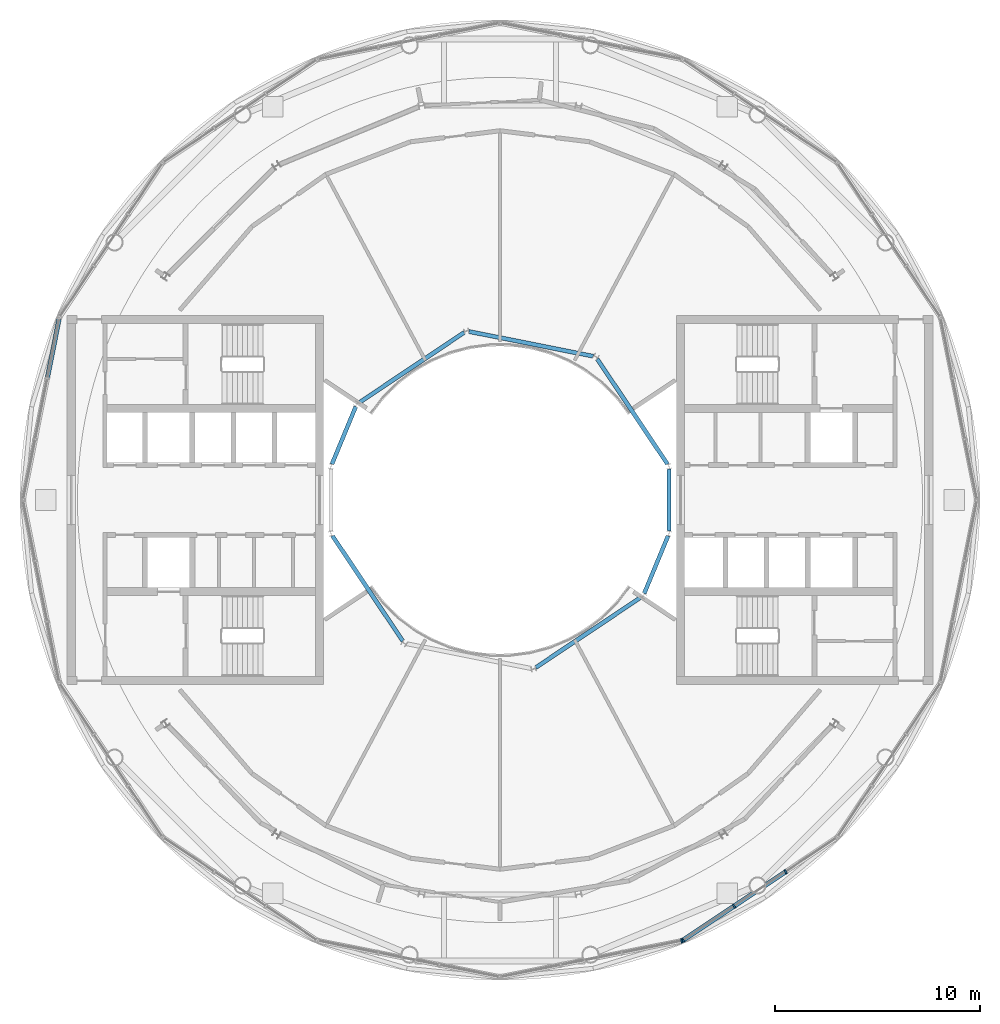
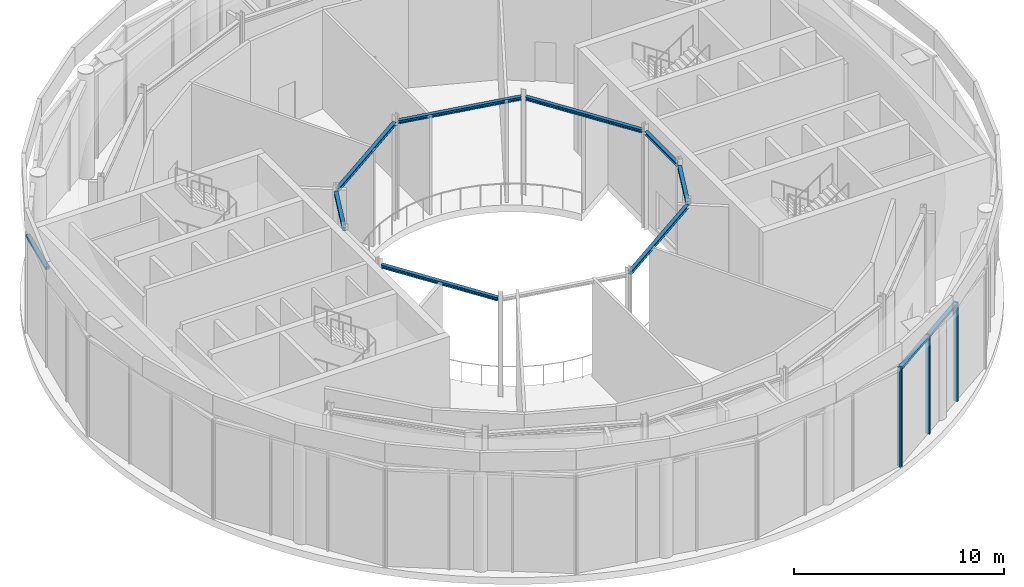
# One storey, part 6 of 20: 8 beams, 7 members, 3 elements without a shape of their own.
"""IFC4 building model written with IfcOpenShell, lengths in metres."""

from ifc_helpers import new_model, si_unit, direction, frame, origin, origin_2d, place, context, subcontext, project, spatial, rectangle, i_section, extrude, material, layer, layer_set, material_profile, profile_set, type_object, element, aggregate, save


model = new_model("IFC4")

# Units and contexts
model_context = context("Model", 3, precision=1e-05, world=origin(), true_north=direction((0.0, 1.0)))
body_context = subcontext(model_context, "Body", "Model", "MODEL_VIEW")
ifc_project = project(units=[si_unit("LENGTHUNIT", "METRE"), si_unit("AREAUNIT", "SQUARE_METRE"), si_unit("VOLUMEUNIT", "CUBIC_METRE"), si_unit("PLANEANGLEUNIT", "RADIAN"), si_unit("MASSUNIT", "GRAM", prefix="KILO")], contexts=[model_context])

# Site, building, storey
site_placement = place(None, origin())
site = spatial("IfcSite", under=ifc_project, at=site_placement, CompositionType="ELEMENT")
building_placement = place(site_placement, origin())
building = spatial("IfcBuilding", under=site, at=building_placement, Name="Maasbend Ring Residences", CompositionType="ELEMENT")
storey_placement = place(building_placement, frame((0.0, 0.0, 255.39990234375)))
storey = spatial("IfcBuildingStorey", under=building, at=storey_placement, Name="L74", CompositionType="ELEMENT", Elevation=255.39990234375)

# Curtain wall, member
ifc_material_1 = material(Name="Aluminium and clear glass", Category="aluminium")
ifc_layer = layer(ifc_material_1, 0.219970703125)
ifc_layer_set = layer_set([ifc_layer], Name="CW-OB")
curtain_wall_type = type_object("IfcCurtainWallType", Name="CW-OB", PredefinedType="NOTDEFINED", material=ifc_layer_set)
curtain_wall_1_placement = place(storey_placement, origin())
curtain_wall_1 = element("IfcCurtainWall", 1, at=curtain_wall_1_placement, inside=storey, type_object=curtain_wall_type, Name="Observation deck curtain wall 13", PredefinedType="NOTDEFINED")
ifc_material_2 = material(Name="Aluminium 6063-T6", Category="aluminium")
ifc_material_profile_1 = material_profile(ifc_material_2, rectangle(XDim=0.219970703125, YDim=0.080078125, at=origin_2d()), Name="AL 220x80")
ifc_profile_set_1 = profile_set([ifc_material_profile_1], Name="Aluminium 6063-T6")
member_type_1 = type_object("IfcMemberType", Name="CWM-OB", PredefinedType="MULLION", material=ifc_profile_set_1)
member_1_placement = place(storey_placement, frame((8.858154296875, -21.488037109375, 0.0), z_axis=(0.0, 0.0, 1.0), x_axis=(-0.195090322016, 0.980785280403, 0.0)))
member_1 = element("IfcMember", 2, at=member_1_placement, type_object=member_type_1, Name="Mullion observation deck", PredefinedType="MULLION", context=body_context, shape_type="SweptSolid", body=[
    extrude(rectangle(XDim=0.219970703125, YDim=0.080078125, at=origin_2d()), origin(), (0.0, 0.0, 1.0), 5.75),
])
aggregate(curtain_wall_1, [member_1])

# Curtain wall, members
curtain_wall_2_placement = place(storey_placement, origin())
curtain_wall_2 = element("IfcCurtainWall", 3, at=curtain_wall_2_placement, inside=storey, type_object=curtain_wall_type, Name="Observation deck curtain wall 14", PredefinedType="NOTDEFINED")
member_2_placement = place(storey_placement, frame((8.9306640625, -21.4580078125, 0.0), z_axis=(0.0, 0.0, 1.0), x_axis=(-0.55557023302, 0.831469612303, 0.0)))
member_2 = element("IfcMember", 4, at=member_2_placement, type_object=member_type_1, Name="Mullion observation deck", PredefinedType="MULLION", context=body_context, shape_type="SweptSolid", body=[
    extrude(rectangle(XDim=0.219970703125, YDim=0.080078125, at=origin_2d()), origin(), (0.0, 0.0, 1.0), 5.75),
])
member_3_placement = place(storey_placement, frame((11.41162109375, -19.80029296875, 0.0), z_axis=(0.0, 0.0, 1.0), x_axis=(-0.55557023302, 0.831469612303, 0.0)))
member_3 = element("IfcMember", 5, at=member_3_placement, type_object=member_type_1, Name="Mullion observation deck", PredefinedType="MULLION", context=body_context, shape_type="SweptSolid", body=[
    extrude(rectangle(XDim=0.219970703125, YDim=0.080078125, at=origin_2d()), origin(), (0.0, 0.0, 1.0), 5.75),
])
member_4_placement = place(storey_placement, frame((13.926025390625, -18.1201171875, 0.0), z_axis=(0.0, 0.0, 1.0), x_axis=(-0.55557023302, 0.831469612303, 0.0)))
member_4 = element("IfcMember", 6, at=member_4_placement, type_object=member_type_1, Name="Mullion observation deck", PredefinedType="MULLION", context=body_context, shape_type="SweptSolid", body=[
    extrude(rectangle(XDim=0.219970703125, YDim=0.080078125, at=origin_2d()), origin(), (0.0, 0.0, 1.0), 5.75),
])

# Curtain wall, member
curtain_wall_3_placement = place(storey_placement, origin())
curtain_wall_3 = element("IfcCurtainWall", 7, at=curtain_wall_3_placement, inside=storey, type_object=curtain_wall_type, Name="Observation deck curtain wall 08", PredefinedType="NOTDEFINED")
ifc_material_3 = material(Name="Aluminium 6063-T6", Category="aluminium")
ifc_material_profile_2 = material_profile(ifc_material_3, rectangle(XDim=0.219970703125, YDim=0.139892578125, at=origin_2d()), Name="AL 220x140")
ifc_profile_set_2 = profile_set([ifc_material_profile_2], Name="Aluminium 6063-T6")
member_type_2 = type_object("IfcMemberType", Name="CWT-OB", PredefinedType="USERDEFINED", material=ifc_profile_set_2)
member_5_placement = place(storey_placement, frame((-21.495849609375, 8.81884765625, 5.68017578125), z_axis=(-0.195048940926, -0.980793510706, 0.0), x_axis=(0.980793510706, -0.195048940926, 0.0)))
member_5 = element("IfcMember", 8, at=member_5_placement, type_object=member_type_2, Name="Transom observation deck", ObjectType="TRANSOM", PredefinedType="USERDEFINED", context=body_context, shape_type="SweptSolid", body=[
    extrude(rectangle(XDim=0.219970703125, YDim=0.139892578125, at=origin_2d()), origin(), (0.0, 0.0, 1.0), 2.90380859375),
])
aggregate(curtain_wall_3, [member_5])

# Member
member_6_placement = place(storey_placement, frame((8.9638671875, -21.435791015625, 5.68017578125), z_axis=(0.831480747717, 0.555553567332, 0.0), x_axis=(-0.555553567332, 0.831480747717, 0.0)))
member_6 = element("IfcMember", 9, at=member_6_placement, type_object=member_type_2, Name="Transom observation deck", ObjectType="TRANSOM", PredefinedType="USERDEFINED", context=body_context, shape_type="SweptSolid", body=[
    extrude(rectangle(XDim=0.219970703125, YDim=0.139892578125, at=origin_2d()), origin(), (0.0, 0.0, 1.0), 2.90380859375),
])

member_7_placement = place(storey_placement, frame((11.44482421875, -19.778076171875, 5.68017578125), z_axis=(0.831437394956, 0.555618446659, 0.0), x_axis=(-0.555618446659, 0.831437394956, 0.0)))
member_7 = element("IfcMember", 10, at=member_7_placement, type_object=member_type_2, Name="Transom observation deck", ObjectType="TRANSOM", PredefinedType="USERDEFINED", context=body_context, shape_type="SweptSolid", body=[
    extrude(rectangle(XDim=0.219970703125, YDim=0.139892578125, at=origin_2d()), origin(), (0.0, 0.0, 1.0), 2.944091796875),
])

aggregate(curtain_wall_2, [member_2, member_3, member_4, member_6, member_7])

# Beams
ifc_material_4 = material(Name="Steel S355J2", Category="steel")
ifc_material_profile_3 = material_profile(ifc_material_4, i_section(OverallWidth=0.199951171875, OverallDepth=0.18994140625, WebThickness=0.006591796875, FlangeThickness=0.010009765625, FilletRadius=0.01806640625, at=origin_2d()), Name="HEA 200")
ifc_profile_set_3 = profile_set([ifc_material_profile_3], Name="Steel S355J2")
beam_type = type_object("IfcBeamType", Name="Well edge beam HEA 200", PredefinedType="BEAM", material=ifc_profile_set_3)
for number, where, z_axis, x_axis, name in (
    (11, (8.16943359375, 1.7421875, 5.655029296875), (-0.555547729421, 0.831484648286, 0.0), (-0.831484648286, -0.555547729421, 0.0), "Well edge beam"),
    (12, (4.544677734375, 7.008544921875, 5.655029296875), (-0.98078072474, 0.195113223486, 0.0), (-0.195113223486, -0.98078072474, 0.0), "Well edge beam"),
    (13, (-1.7421875, 8.16943359375, 5.655029296875), (-0.831484648286, -0.555547729421, 0.0), (0.555547729421, -0.831484648286, 0.0), "Well edge beam"),
):
    element("IfcBeam", number, at=place(storey_placement, frame(where, z_axis=z_axis, x_axis=x_axis)), inside=storey, type_object=beam_type, Name=name, PredefinedType="BEAM", context=body_context, shape_type="SweptSolid", body=[
        extrude(i_section(OverallWidth=0.199951171875, OverallDepth=0.18994140625, WebThickness=0.006591796875, FlangeThickness=0.010009765625, FilletRadius=0.01806640625, at=origin_2d()), origin(), (0.0, 0.0, 1.0), 6.18017578125),
    ])
beam_placement = place(storey_placement, frame((-7.029296875, 4.55859375, 5.655029296875), z_axis=(-0.382609241817, -0.923910259753, 0.0), x_axis=(0.923910259753, -0.382609241817, 0.0)))
element("IfcBeam", 14, at=beam_placement, inside=storey, type_object=beam_type, Name="Well edge beam", PredefinedType="BEAM", context=body_context, shape_type="SweptSolid", body=[
    extrude(i_section(OverallWidth=0.199951171875, OverallDepth=0.18994140625, WebThickness=0.006591796875, FlangeThickness=0.010009765625, FilletRadius=0.01806640625, at=origin_2d()), origin(), (0.0, 0.0, 1.0), 3.04296875),
])
for number, where, z_axis, x_axis, name in (
    (15, (-8.16943359375, -1.7421875, 5.655029296875), (0.555547729421, -0.831484648286, 0.0), (0.831484648286, 0.555547729421, 0.0), "Well edge beam"),
    (16, (1.7421875, -8.16943359375, 5.655029296875), (0.831484648286, 0.555547729421, 0.0), (-0.555547729421, 0.831484648286, 0.0), "Well edge beam"),
):
    element("IfcBeam", number, at=place(storey_placement, frame(where, z_axis=z_axis, x_axis=x_axis)), inside=storey, type_object=beam_type, Name=name, PredefinedType="BEAM", context=body_context, shape_type="SweptSolid", body=[
        extrude(i_section(OverallWidth=0.199951171875, OverallDepth=0.18994140625, WebThickness=0.006591796875, FlangeThickness=0.010009765625, FilletRadius=0.01806640625, at=origin_2d()), origin(), (0.0, 0.0, 1.0), 6.18017578125),
    ])
for number, where, z_axis, x_axis, name in (
    (17, (7.029296875, -4.55859375, 5.655029296875), (0.382609241817, 0.923910259753, 0.0), (-0.923910259753, 0.382609241817, 0.0), "Well edge beam"),
    (18, (8.238525390625, -1.521484375, 5.655029296875), (0.0, 1.0, 0.0), (-1.0, 0.0, 0.0), "Well edge beam"),
):
    element("IfcBeam", number, at=place(storey_placement, frame(where, z_axis=z_axis, x_axis=x_axis)), inside=storey, type_object=beam_type, Name=name, PredefinedType="BEAM", context=body_context, shape_type="SweptSolid", body=[
        extrude(i_section(OverallWidth=0.199951171875, OverallDepth=0.18994140625, WebThickness=0.006591796875, FlangeThickness=0.010009765625, FilletRadius=0.01806640625, at=origin_2d()), origin(), (0.0, 0.0, 1.0), 3.04296875),
    ])

save(model, "model.ifc")
